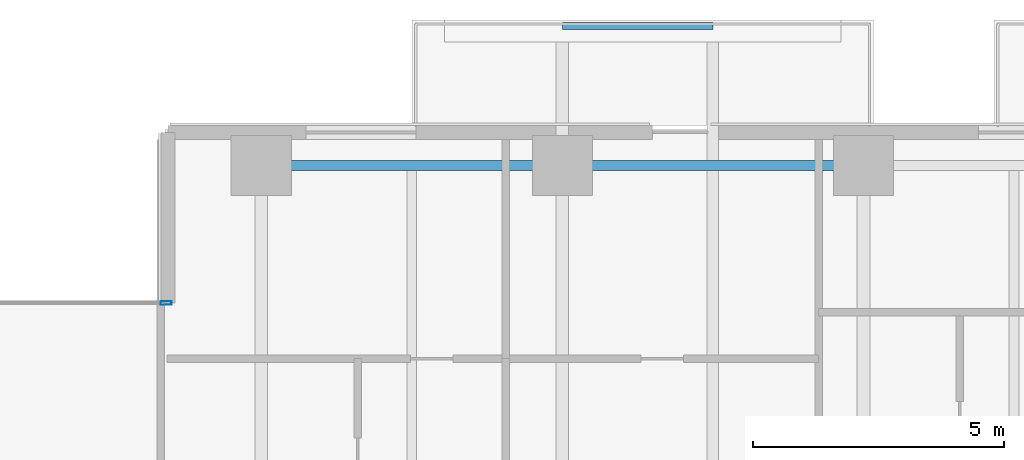
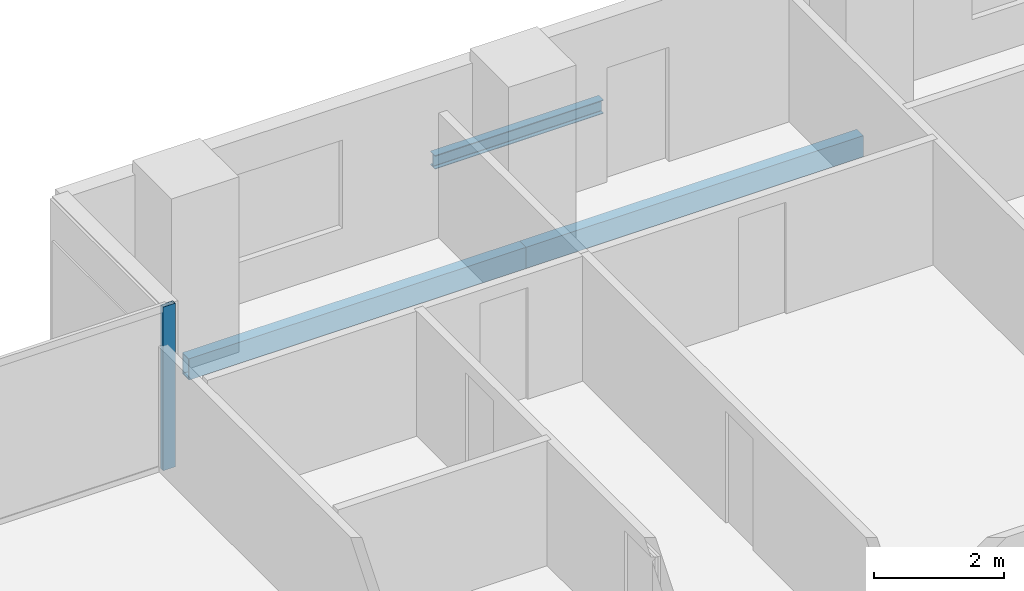
# One storey, part 11 of 33: 3 beams, 1 member, 1 element without a shape of its own.
"""IFC4 building model written with IfcOpenShell, lengths in metres."""

from ifc_helpers import new_model, si_unit, direction, frame, origin, origin_2d, place, context, subcontext, project, spatial, hollow_rectangle, i_section, extrude, material, layer, layer_set, material_profile, profile_set, type_object, element, aggregate, save


model = new_model("IFC4")

# Units and contexts
model_context = context("Model", 3, precision=1e-05, world=origin(), true_north=direction((0.0, 1.0)))
body_context = subcontext(model_context, "Body", "Model", "MODEL_VIEW")
ifc_project = project(units=[si_unit("LENGTHUNIT", "METRE"), si_unit("AREAUNIT", "SQUARE_METRE"), si_unit("VOLUMEUNIT", "CUBIC_METRE"), si_unit("PLANEANGLEUNIT", "RADIAN"), si_unit("MASSUNIT", "GRAM", prefix="KILO")], contexts=[model_context])

# Site, building, storey
site_placement = place(None, origin())
site = spatial("IfcSite", under=ifc_project, at=site_placement, CompositionType="ELEMENT")
building_placement = place(site_placement, origin())
building = spatial("IfcBuilding", under=site, at=building_placement, Name="Tanjung Sevakor Pilgrim Tower", CompositionType="ELEMENT")
storey_placement = place(building_placement, frame((0.0, 0.0, 32.340087890625)))
storey = spatial("IfcBuildingStorey", under=building, at=storey_placement, Name="L08", CompositionType="ELEMENT", Elevation=32.340087890625)

# Beams
ifc_material_1 = material(Name="Steel S355J2", Category="steel")
ifc_material_profile_1 = material_profile(ifc_material_1, i_section(OverallWidth=0.146484375, OverallDepth=0.256103515625, WebThickness=0.00634765625, FlangeThickness=0.010986328125, FilletRadius=0.007568359375, at=origin_2d()))
ifc_profile_set_1 = profile_set([ifc_material_profile_1], Name="Steel S355J2")
beam_type_1 = type_object("IfcBeamType", Name="BM-B-J6-UB_254x146x37", PredefinedType="JOIST", material=ifc_profile_set_1)
beam_placement = place(storey_placement, frame((60.0, 61.580078125, -0.328125), z_axis=(1.0, 0.0, 0.0), x_axis=(0.0, 1.0, 0.0)))
element("IfcBeam", 1, at=beam_placement, inside=storey, type_object=beam_type_1, Name="L08 Balcony Rim Tie MAIN-N2", PredefinedType="JOIST", context=body_context, shape_type="SweptSolid", body=[
    extrude(i_section(OverallWidth=0.146484375, OverallDepth=0.256103515625, WebThickness=0.00634765625, FlangeThickness=0.010986328125, FilletRadius=0.007568359375, at=origin_2d()), origin(), (0.0, 0.0, 1.0), 3.0),
])
ifc_material_2 = material(Name="Steel S355J2", Category="steel")
ifc_material_profile_2 = material_profile(ifc_material_2, hollow_rectangle(XDim=0.199951171875, YDim=0.39990234375, WallThickness=0.01611328125, at=origin_2d()))
ifc_profile_set_2 = profile_set([ifc_material_profile_2], Name="Steel S355J2")
beam_type_2 = type_object("IfcBeamType", Name="BM-B-SP2-RHS_400x200x16", PredefinedType="SPANDREL", material=ifc_profile_set_2)
for number, where, z_axis, x_axis, name in (
    (2, (54.0, 58.800048828125, -0.420166015625), (1.0, 0.0, 0.0), (0.0, 1.0, 0.0), "L08 Spandrel MAIN N-08"),
    (3, (60.0, 58.800048828125, -0.420166015625), (1.0, 0.0, 0.0), (0.0, 1.0, 0.0), "L08 Spandrel MAIN N-10"),
):
    element("IfcBeam", number, at=place(storey_placement, frame(where, z_axis=z_axis, x_axis=x_axis)), inside=storey, type_object=beam_type_2, Name=name, PredefinedType="SPANDREL", context=body_context, shape_type="SweptSolid", body=[
        extrude(hollow_rectangle(XDim=0.199951171875, YDim=0.39990234375, WallThickness=0.01611328125, at=origin_2d()), origin(), (0.0, 0.0, 1.0), 6.0),
    ])

# Curtain wall, member
ifc_material_3 = material(Name="Aluminium 6063-T6 and Low-E Glass", Category="aluminium")
ifc_layer = layer(ifc_material_3, 0.179931640625)
ifc_layer_set = layer_set([ifc_layer], Name="CW-SYS-CLEFT")
curtain_wall_type = type_object("IfcCurtainWallType", Name="CW-SYS-CLEFT", PredefinedType="NOTDEFINED", material=ifc_layer_set)
curtain_wall_placement = place(storey_placement, origin())
curtain_wall = element("IfcCurtainWall", 4, at=curtain_wall_placement, inside=storey, type_object=curtain_wall_type, Name="L08 Curtain Wall CW-CLF-L08-10", PredefinedType="NOTDEFINED")
ifc_material_4 = material(Name="Aluminium 6063-T6", Category="aluminium")
ifc_material_profile_3 = material_profile(ifc_material_4, hollow_rectangle(XDim=0.074951171875, YDim=0.219970703125, WallThickness=0.0048828125, at=origin_2d()))
ifc_profile_set_3 = profile_set([ifc_material_profile_3], Name="Aluminium 6063-T6")
member_type = type_object("IfcMemberType", Name="TYPE-CWM-2", PredefinedType="MULLION", material=ifc_profile_set_3)
member_placement = place(storey_placement, frame((52.1025390625, 56.06005859375, 0.0), z_axis=(0.0, 0.0, 1.0), x_axis=(0.0, -1.0, 0.0)))
member = element("IfcMember", 5, at=member_placement, type_object=member_type, Name="CW-CLF mullion 1", PredefinedType="MULLION", context=body_context, shape_type="SweptSolid", body=[
    extrude(hollow_rectangle(XDim=0.074951171875, YDim=0.219970703125, WallThickness=0.0048828125, at=origin_2d()), origin(), (0.0, 0.0, 1.0), 3.079833984375),
])
aggregate(curtain_wall, [member])

save(model, "model.ifc")
